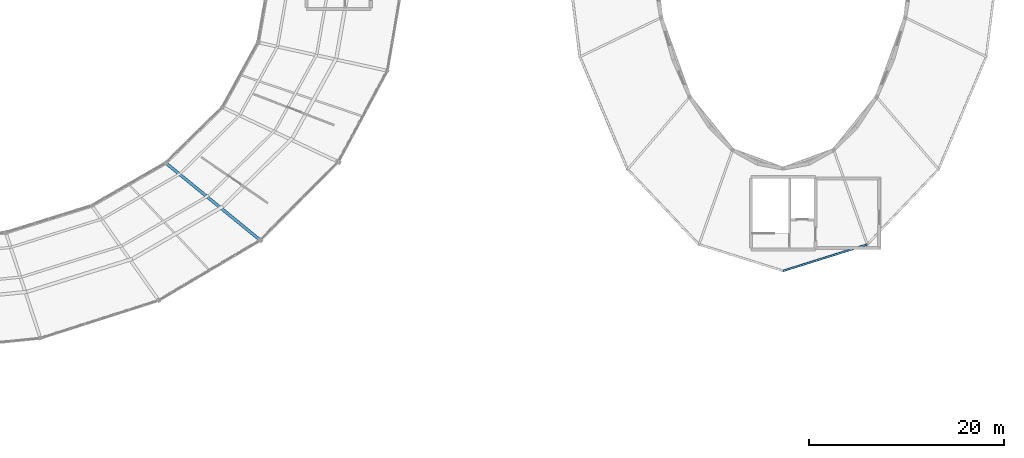
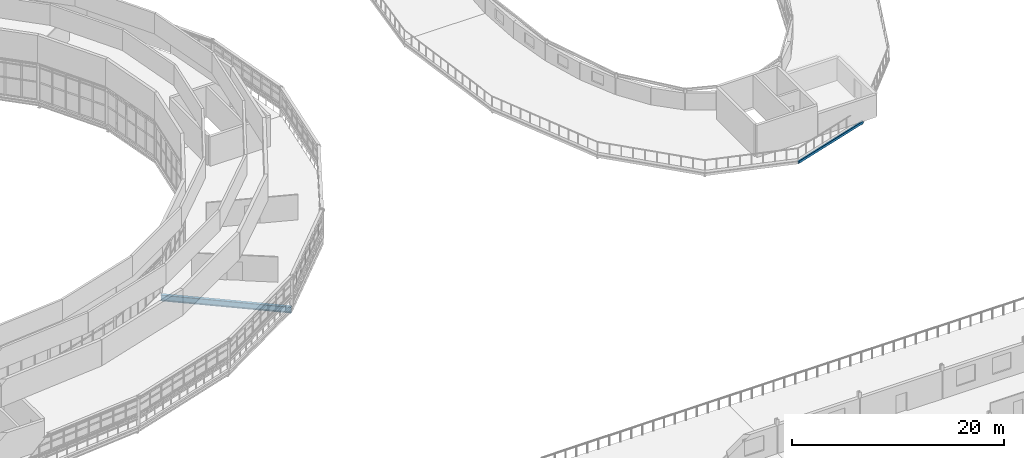
# One storey, part 61 of 123: 2 beams.
"""IFC4 building model written with IfcOpenShell, lengths in metres."""

import ifcopenshell
import ifcopenshell.guid

model = None  # the IFC model being written
_history = None  # IfcOwnerHistory: only IFC2X3 demands one
_inside = {}  # id of a spatial element -> (the spatial element, [elements in it])
_under = {}  # id of a project, library or spatial element -> (it, [spatial elements below it])
_declared = {}  # id of a project -> (the project, [libraries it declares])
_typed = {}  # id of a type object -> (the type object, [elements of that type])
_made_of = {}  # id of a material, layer set ... -> (it, [elements and type objects made of it])


def new_model(schema):
    """Start an empty IFC model of exactly this schema.

    Asked for "IFC4X3", IfcOpenShell would pick the latest addendum, in which some entities
    have other attributes; the version numbers below select the first issue.
    IFC2X3 requires an IfcOwnerHistory on every rooted entity: one is made here for all.
    """
    global model, _history
    if schema == "IFC4X3":
        model = ifcopenshell.file(schema_version=(4, 3, 0, 0))
    else:
        model = ifcopenshell.file(schema=schema)
    _inside.clear()
    _under.clear()
    _declared.clear()
    _typed.clear()
    _made_of.clear()
    _history = None
    if model.schema == "IFC2X3":
        org = make("IfcOrganization", Name="unknown")
        user = make(
            "IfcPersonAndOrganization",
            ThePerson=make("IfcPerson", FamilyName="unknown"),
            TheOrganization=org,
        )
        app = make(
            "IfcApplication",
            ApplicationDeveloper=org,
            Version="unknown",
            ApplicationFullName="unknown",
            ApplicationIdentifier="unknown",
        )
        _history = make(
            "IfcOwnerHistory",
            OwningUser=user,
            OwningApplication=app,
            ChangeAction="ADDED",
            CreationDate=0,
        )
    return model


def make(cls, **values):
    """One entity of the class cls with the attributes given. An attribute that is None is left unset."""
    return model.create_entity(
        cls, **{name: value for name, value in values.items() if value is not None}
    )


def rooted(cls, **values):
    """An entity with a GlobalId (a new one), such as an element, a storey or a relation."""
    return make(cls, GlobalId=ifcopenshell.guid.new(), OwnerHistory=_history, **values)


def si_unit(unit_type, name, prefix=None):
    """IfcSIUnit, for example si_unit("LENGTHUNIT", "METRE", prefix="MILLI")."""
    return make("IfcSIUnit", UnitType=unit_type, Prefix=prefix, Name=name)


def assignment(units):
    """IfcUnitAssignment: the units of a project."""
    return None if units is None else make("IfcUnitAssignment", Units=units)


def point(xyz):
    """IfcCartesianPoint."""
    return None if xyz is None else make("IfcCartesianPoint", Coordinates=xyz)


def direction(xyz):
    """IfcDirection."""
    return None if xyz is None else make("IfcDirection", DirectionRatios=xyz)


def frame(location, z_axis=None, x_axis=None):
    """IfcAxis2Placement3D, a coordinate frame: its origin and axes. An axis left out is left unset."""
    return make(
        "IfcAxis2Placement3D",
        Location=point(location),
        Axis=direction(z_axis),
        RefDirection=direction(x_axis),
    )


def frame_2d(location, x_axis=None):
    """IfcAxis2Placement2D, a coordinate frame in the plane: its origin and x axis."""
    return make(
        "IfcAxis2Placement2D", Location=point(location), RefDirection=direction(x_axis)
    )


def origin():
    """The frame at (0, 0, 0) with its axes left unset."""
    return frame((0.0, 0.0, 0.0))


def origin_2d():
    """The frame at (0, 0) in the plane with its x axis left unset."""
    return frame_2d((0.0, 0.0))


def place(relative_to, where):
    """IfcLocalPlacement: puts the frame where relative to a parent placement (None: the world)."""
    return make(
        "IfcLocalPlacement", PlacementRelTo=relative_to, RelativePlacement=where
    )


def context(
    kind, dimensions, precision=None, world=None, true_north=None, identifier=None
):
    """IfcGeometricRepresentationContext, for example the 3D "Model" context."""
    return make(
        "IfcGeometricRepresentationContext",
        ContextIdentifier=identifier,
        ContextType=kind,
        CoordinateSpaceDimension=dimensions,
        Precision=precision,
        WorldCoordinateSystem=world,
        TrueNorth=true_north,
    )


def subcontext(parent, identifier, kind, view, scale=None):
    """IfcGeometricRepresentationSubContext, for example "Body" below "Model"."""
    return make(
        "IfcGeometricRepresentationSubContext",
        ContextIdentifier=identifier,
        ContextType=kind,
        ParentContext=parent,
        TargetScale=scale,
        TargetView=view,
    )


def project(units=None, contexts=None):
    """IfcProject with its units and contexts."""
    return rooted(
        "IfcProject",
        Name="project",
        RepresentationContexts=contexts,
        UnitsInContext=assignment(units),
    )


def spatial(cls, under=None, at=None, **own):
    """A site, building, storey or space (cls), placed at a placement, below another one or the project."""
    s = rooted(cls, ObjectPlacement=at, **own)
    if under is not None:
        _under.setdefault(under.id(), (under, []))[1].append(s)
    return s


def profile(cls, at=None, kind="AREA", **sizes):
    """A parametric profile (cls). Its sizes go by their IFC names, for example OverallWidth=200.0."""
    return make(cls, ProfileType=kind, Position=at, **sizes)


def hollow_rectangle(**sizes):
    """IfcRectangleHollowProfileDef."""
    return profile("IfcRectangleHollowProfileDef", **sizes)


def i_section(**sizes):
    """IfcIShapeProfileDef."""
    return profile("IfcIShapeProfileDef", **sizes)


def extrude(swept, where, along, depth):
    """IfcExtrudedAreaSolid: the profile swept, set in the frame where, extruded along a direction by depth."""
    return make(
        "IfcExtrudedAreaSolid",
        SweptArea=swept,
        Position=where,
        ExtrudedDirection=direction(along),
        Depth=depth,
    )


def shape(context_of_items, identifier, shape_type, items):
    """IfcShapeRepresentation: the items that make up one representation, for example the "Body"."""
    return make(
        "IfcShapeRepresentation",
        ContextOfItems=context_of_items,
        RepresentationIdentifier=identifier,
        RepresentationType=shape_type,
        Items=items,
    )


def material(Name=None, Category=None):
    """IfcMaterial."""
    return make("IfcMaterial", Name=Name, Category=Category)


def material_profile(
    of_material, cross_section, Name=None, Category=None, Priority=None
):
    """IfcMaterialProfile: a cross section and its material."""
    return make(
        "IfcMaterialProfile",
        Name=Name,
        Material=of_material,
        Profile=cross_section,
        Priority=Priority,
        Category=Category,
    )


def profile_set(profiles, Name=None, composite=None):
    """IfcMaterialProfileSet."""
    return make(
        "IfcMaterialProfileSet",
        Name=Name,
        MaterialProfiles=profiles,
        CompositeProfile=composite,
    )


def made_of(thing, what):
    """Note that an element or type object is made of a material, layer set ...; save() writes the relation."""
    if what is not None:
        _made_of.setdefault(what.id(), (what, []))[1].append(thing)
    return thing


def type_object(cls, material=None, **own):
    """A type object (cls), such as IfcWallType, which elements share."""
    return made_of(rooted(cls, **own), material)


def element(
    cls,
    number,
    at=None,
    inside=None,
    cuts=None,
    type_object=None,
    material=None,
    context=None,
    identifier="Body",
    shape_type=None,
    held_by="IfcProductDefinitionShape",
    body=None,
    shapes=None,
    **own,
):
    """One element of the class cls, such as IfcWall. Its Tag is "e" and its number.

    at: its placement. inside: the storey or other place that contains it. cuts: it is an
    opening in that element (IfcRelVoidsElement). A single representation is given by context,
    identifier, shape_type and body (its items); several are given by shapes. held_by: the class
    of the entity that holds the representations. save() writes the other relations.
    """
    e = rooted(cls, Tag="e%d" % number, ObjectPlacement=at, **own)
    if body is not None:
        shapes = [shape(context, identifier, shape_type, body)]
    if shapes is not None:
        e.Representation = make(held_by, Representations=shapes)
    if inside is not None:
        _inside.setdefault(inside.id(), (inside, []))[1].append(e)
    if cuts is not None:
        rooted(
            "IfcRelVoidsElement", RelatingBuildingElement=cuts, RelatedOpeningElement=e
        )
    if type_object is not None:
        _typed.setdefault(type_object.id(), (type_object, []))[1].append(e)
    return made_of(e, material)


def aggregate(whole, parts):
    """IfcRelAggregates: a whole, such as a stair, and the parts it consists of."""
    return rooted("IfcRelAggregates", RelatingObject=whole, RelatedObjects=parts)


def save(model, path):
    """Write the relations noted so far, then the file.

    IfcRelAggregates (storeys below a building ...), IfcRelContainedInSpatialStructure (elements
    in a storey), IfcRelDefinesByType, IfcRelAssociatesMaterial and IfcRelDeclares: one each for
    every whole, place, type object, material and project.
    """
    for whole, parts in _under.values():
        aggregate(whole, parts)
    for where, things in _inside.values():
        rooted(
            "IfcRelContainedInSpatialStructure",
            RelatedElements=things,
            RelatingStructure=where,
        )
    for kind, things in _typed.values():
        rooted("IfcRelDefinesByType", RelatedObjects=things, RelatingType=kind)
    for what, things in _made_of.values():
        rooted("IfcRelAssociatesMaterial", RelatedObjects=things, RelatingMaterial=what)
    for by, libraries in _declared.values():
        rooted("IfcRelDeclares", RelatingContext=by, RelatedDefinitions=libraries)
    model.write(path)


model = new_model("IFC4")

# Units and contexts
model_context = context("Model", 3, precision=1e-05, world=origin(), true_north=direction((0.0, 1.0)))
body_context = subcontext(model_context, "Body", "Model", "MODEL_VIEW")
ifc_project = project(units=[si_unit("LENGTHUNIT", "METRE"), si_unit("AREAUNIT", "SQUARE_METRE"), si_unit("VOLUMEUNIT", "CUBIC_METRE"), si_unit("PLANEANGLEUNIT", "RADIAN"), si_unit("MASSUNIT", "GRAM", prefix="KILO")], contexts=[model_context])

# Site, building, storey
site_placement = place(None, origin())
site = spatial("IfcSite", under=ifc_project, at=site_placement, CompositionType="ELEMENT")
building_placement = place(site_placement, origin())
building = spatial("IfcBuilding", under=site, at=building_placement, Name="Kildeholm Park Wholesale Market", CompositionType="ELEMENT")
storey_placement = place(building_placement, frame((0.0, 0.0, 9.60009765625)))
storey = spatial("IfcBuildingStorey", under=building, at=storey_placement, Name="L02", CompositionType="ELEMENT", Elevation=9.60009765625)

# Beams
ifc_material = material(Name="Steel S355", Category="steel")
ifc_material_profile_1 = material_profile(ifc_material, i_section(OverallWidth=0.300048828125, OverallDepth=0.699951171875, WebThickness=0.01708984375, FlangeThickness=0.031982421875, FilletRadius=0.027099609375, at=origin_2d()), Name="HEB 700")
ifc_profile_set_1 = profile_set([ifc_material_profile_1], Name="Steel S355")
beam_type_1 = type_object("IfcBeamType", Name="Beam B-G01 HEB 700", PredefinedType="BEAM", material=ifc_profile_set_1)
beam_1_placement = place(storey_placement, frame((124.80908203125, 70.054931640625, -0.60009765625), z_axis=(0.774216280002, -0.632921126034, 0.0), x_axis=(0.632921126034, 0.774216280002, 0.0)))
element("IfcBeam", 1, at=beam_1_placement, inside=storey, type_object=beam_type_1, Name="Beam BM-V1-L02-R1-21 BM-0192", PredefinedType="BEAM", context=body_context, shape_type="SweptSolid", body=[
    extrude(i_section(OverallWidth=0.300048828125, OverallDepth=0.699951171875, WebThickness=0.01708984375, FlangeThickness=0.031982421875, FilletRadius=0.027099609375, at=origin_2d()), origin(), (0.0, 0.0, 1.0), 12.51318359375),
])
ifc_material_profile_2 = material_profile(ifc_material, hollow_rectangle(XDim=0.199951171875, YDim=0.300048828125, WallThickness=0.012451171875, InnerFilletRadius=0.012451171875, OuterFilletRadius=0.02490234375, at=origin_2d()), Name="RHS 300x200x12.5")
ifc_profile_set_2 = profile_set([ifc_material_profile_2], Name="Steel S355")
beam_type_2 = type_object("IfcBeamType", Name="Beam SP-01 RHS 300x200x12.5", PredefinedType="SPANDREL", material=ifc_profile_set_2)
beam_2_placement = place(storey_placement, frame((188.0, 59.0, -0.440185546875), z_axis=(0.954124515816, 0.299410100562, 0.0), x_axis=(-0.299410100562, 0.954124515816, 0.0)))
element("IfcBeam", 2, at=beam_2_placement, inside=storey, type_object=beam_type_2, Name="Beam BM-V2-L02-CO-12 BM-0448", PredefinedType="SPANDREL", context=body_context, shape_type="SweptSolid", body=[
    extrude(hollow_rectangle(XDim=0.199951171875, YDim=0.300048828125, WallThickness=0.012451171875, InnerFilletRadius=0.012451171875, OuterFilletRadius=0.02490234375, at=origin_2d()), origin(), (0.0, 0.0, 1.0), 9.024169921875),
])

save(model, "model.ifc")
